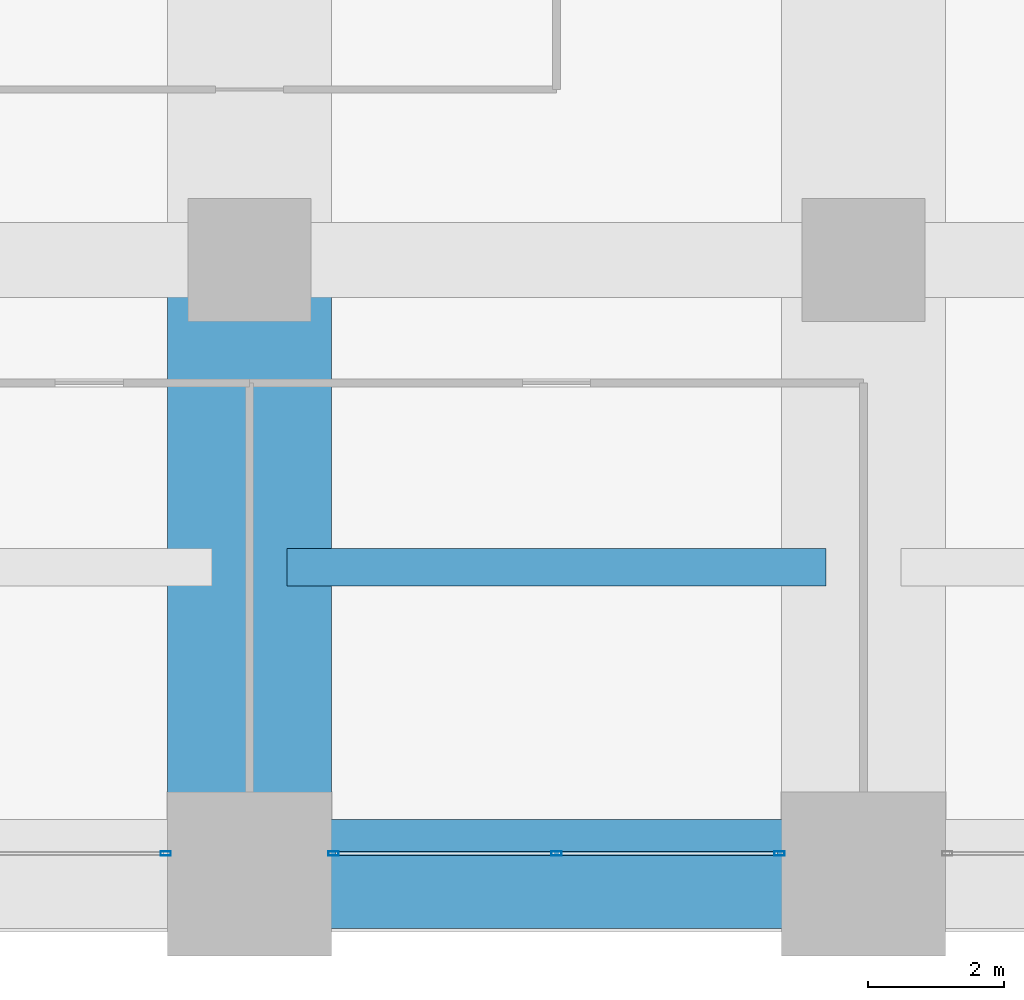
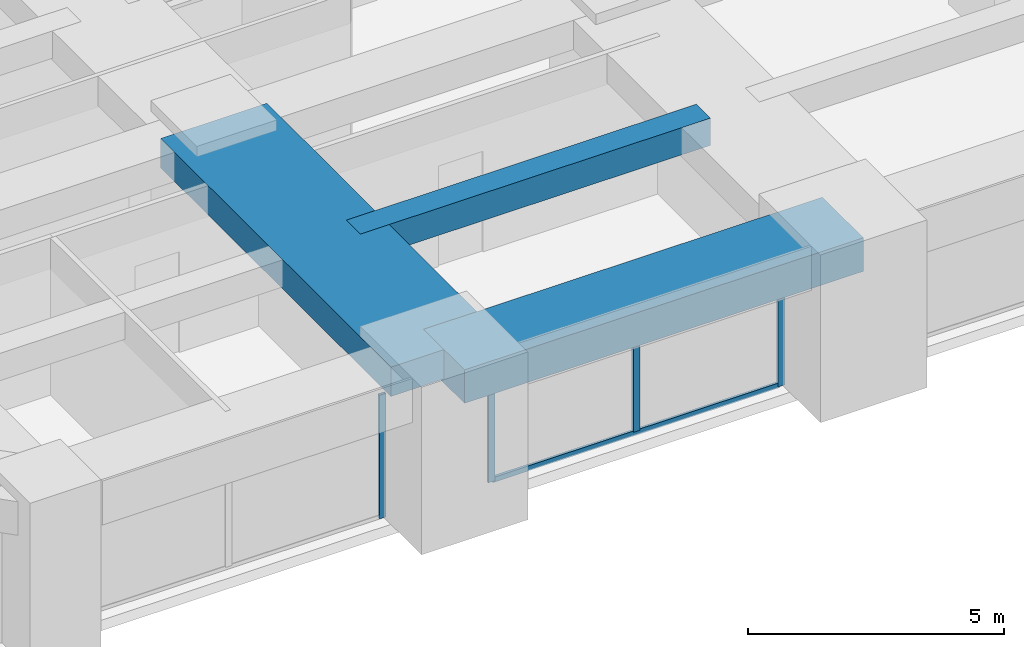
# One storey, part 6 of 43: 5 members, 3 beams, 2 elements without a shape of their own.
"""IFC4 building model written with IfcOpenShell, lengths in metres."""

from ifc_helpers import new_model, si_unit, direction, frame, origin, origin_2d, place, context, subcontext, project, spatial, rectangle, hollow_rectangle, extrude, material, material_profile, profile_set, type_object, element, aggregate, save


model = new_model("IFC4")

# Units and contexts
model_context = context("Model", 3, precision=1e-05, world=origin(), true_north=direction((0.0, 1.0)))
body_context = subcontext(model_context, "Body", "Model", "MODEL_VIEW")
ifc_project = project(units=[si_unit("LENGTHUNIT", "METRE"), si_unit("AREAUNIT", "SQUARE_METRE"), si_unit("VOLUMEUNIT", "CUBIC_METRE"), si_unit("PLANEANGLEUNIT", "RADIAN"), si_unit("MASSUNIT", "GRAM", prefix="KILO")], contexts=[model_context])

# Site, building, storey
site_placement = place(None, origin())
site = spatial("IfcSite", under=ifc_project, at=site_placement, CompositionType="ELEMENT")
building_placement = place(site_placement, origin())
building = spatial("IfcBuilding", under=site, at=building_placement, Name="Zorevar Civic Tower", CompositionType="ELEMENT")
storey_placement = place(building_placement, frame((0.0, 0.0, 145.0)))
storey = spatial("IfcBuildingStorey", under=building, at=storey_placement, Name="L35", CompositionType="ELEMENT", Elevation=145.0)

# Beams
ifc_material_1 = material(Name="Concrete C50/60", Category="concrete")
ifc_material_profile_1 = material_profile(ifc_material_1, rectangle(XDim=2.39990234375, YDim=0.699951171875, at=origin_2d()), Name="RC 2400x700")
ifc_profile_set_1 = profile_set([ifc_material_profile_1], Name="Concrete C50/60")
beam_type_1 = type_object("IfcBeamType", Name="Beam RC 2400x700", PredefinedType="BEAM", material=ifc_profile_set_1)
beam_1_placement = place(storey_placement, frame((18.0, 0.0, 3.39990234375), z_axis=(0.0, 1.0, 0.0), x_axis=(-1.0, 0.0, 0.0)))
element("IfcBeam", 1, at=beam_1_placement, inside=storey, type_object=beam_type_1, Name="Girder L36", PredefinedType="BEAM", context=body_context, shape_type="SweptSolid", body=[
    extrude(rectangle(XDim=2.39990234375, YDim=0.699951171875, at=origin_2d()), origin(), (0.0, 0.0, 1.0), 9.0),
])
ifc_material_2 = material(Name="Concrete C50/60", Category="concrete")
ifc_material_profile_2 = material_profile(ifc_material_2, rectangle(XDim=0.550048828125, YDim=0.64990234375, at=origin_2d()), Name="RC 550x650")
ifc_profile_set_2 = profile_set([ifc_material_profile_2], Name="Concrete C50/60")
beam_type_2 = type_object("IfcBeamType", Name="Beam RC 550x650", PredefinedType="BEAM", material=ifc_profile_set_2)
beam_2_placement = place(storey_placement, frame((18.550048828125, 4.5, 3.425048828125), z_axis=(1.0, 0.0, 0.0), x_axis=(0.0, 1.0, 0.0)))
element("IfcBeam", 2, at=beam_2_placement, inside=storey, type_object=beam_type_2, Name="Secondary beam L36", PredefinedType="BEAM", context=body_context, shape_type="SweptSolid", body=[
    extrude(rectangle(XDim=0.550048828125, YDim=0.64990234375, at=origin_2d()), origin(), (0.0, 0.0, 1.0), 7.89990234375),
])

# Curtain wall, member
ifc_material_3 = material(Name="Dark grey solar-control glass in black aluminium frame", Category="aluminium")
curtain_wall_type = type_object("IfcCurtainWallType", Name="Curtain wall CW3 mid zone", PredefinedType="NOTDEFINED", material=ifc_material_3)
curtain_wall_1_placement = place(storey_placement, origin())
curtain_wall_1 = element("IfcCurtainWall", 3, at=curtain_wall_1_placement, inside=storey, type_object=curtain_wall_type, Name="CW3 L35", PredefinedType="NOTDEFINED")
ifc_material_4 = material(Name="Aluminium, black anodised", Category="aluminium")
ifc_material_profile_3 = material_profile(ifc_material_4, hollow_rectangle(XDim=0.06005859375, YDim=0.14990234375, WallThickness=0.00390625, at=origin_2d()), Name="AL 150x60x4")
ifc_profile_set_3 = profile_set([ifc_material_profile_3], Name="Aluminium, black anodised")
member_type_1 = type_object("IfcMemberType", Name="CW3 mullion AL 150x60x4", PredefinedType="MULLION", material=ifc_profile_set_3)
member_1_placement = place(storey_placement, frame((16.77001953125, 0.300048828125, 0.0), z_axis=(0.0, 0.0, 1.0), x_axis=(0.0, 1.0, 0.0)))
member_1 = element("IfcMember", 4, at=member_1_placement, type_object=member_type_1, Name="CW3 mullion 3", PredefinedType="MULLION", context=body_context, shape_type="SweptSolid", body=[
    extrude(hollow_rectangle(XDim=0.06005859375, YDim=0.14990234375, WallThickness=0.00390625, at=origin_2d()), origin(), (0.0, 0.0, 1.0), 2.949951171875),
])
aggregate(curtain_wall_1, [member_1])

# Curtain wall, members
curtain_wall_2_placement = place(storey_placement, origin())
curtain_wall_2 = element("IfcCurtainWall", 5, at=curtain_wall_2_placement, inside=storey, type_object=curtain_wall_type, Name="CW3 L35", PredefinedType="NOTDEFINED")
member_2_placement = place(storey_placement, frame((19.22998046875, 0.300048828125, 0.0), z_axis=(0.0, 0.0, 1.0), x_axis=(0.0, 1.0, 0.0)))
member_2 = element("IfcMember", 6, at=member_2_placement, type_object=member_type_1, Name="CW3 mullion 1", PredefinedType="MULLION", context=body_context, shape_type="SweptSolid", body=[
    extrude(hollow_rectangle(XDim=0.06005859375, YDim=0.14990234375, WallThickness=0.00390625, at=origin_2d()), origin(), (0.0, 0.0, 1.0), 2.949951171875),
])
member_3_placement = place(storey_placement, frame((22.5, 0.300048828125, 0.06005859375), z_axis=(0.0, 0.0, 1.0), x_axis=(0.0, 1.0, 0.0)))
member_3 = element("IfcMember", 7, at=member_3_placement, type_object=member_type_1, Name="CW3 mullion 2", PredefinedType="MULLION", context=body_context, shape_type="SweptSolid", body=[
    extrude(hollow_rectangle(XDim=0.06005859375, YDim=0.14990234375, WallThickness=0.00390625, at=origin_2d()), origin(), (0.0, 0.0, 1.0), 2.889892578125),
])
member_4_placement = place(storey_placement, frame((25.77001953125, 0.300048828125, 0.0), z_axis=(0.0, 0.0, 1.0), x_axis=(0.0, 1.0, 0.0)))
member_4 = element("IfcMember", 8, at=member_4_placement, type_object=member_type_1, Name="CW3 mullion 3", PredefinedType="MULLION", context=body_context, shape_type="SweptSolid", body=[
    extrude(hollow_rectangle(XDim=0.06005859375, YDim=0.14990234375, WallThickness=0.00390625, at=origin_2d()), origin(), (0.0, 0.0, 1.0), 2.949951171875),
])
ifc_material_5 = material(Name="Aluminium, black anodised", Category="aluminium")
ifc_material_profile_4 = material_profile(ifc_material_5, hollow_rectangle(XDim=0.06005859375, YDim=0.1201171875, WallThickness=0.0029296875, at=origin_2d()), Name="AL 120x60x3")
ifc_profile_set_4 = profile_set([ifc_material_profile_4], Name="Aluminium, black anodised")
member_type_2 = type_object("IfcMemberType", Name="CW3 transom AL 120x60x3", PredefinedType="USERDEFINED", material=ifc_profile_set_4)
member_5_placement = place(storey_placement, frame((19.260009765625, 0.300048828125, 0.030029296875), z_axis=(1.0, 0.0, 0.0), x_axis=(0.0, 1.0, 0.0)))
member_5 = element("IfcMember", 9, at=member_5_placement, type_object=member_type_2, Name="CW3 sill transom", ObjectType="TRANSOM", PredefinedType="USERDEFINED", context=body_context, shape_type="SweptSolid", body=[
    extrude(hollow_rectangle(XDim=0.06005859375, YDim=0.1201171875, WallThickness=0.0029296875, at=origin_2d()), origin(), (0.0, 0.0, 1.0), 6.47998046875),
])
aggregate(curtain_wall_2, [member_2, member_3, member_4, member_5])

# Beam
ifc_material_6 = material(Name="Concrete C50/60", Category="concrete")
ifc_material_profile_5 = material_profile(ifc_material_6, rectangle(XDim=1.60009765625, YDim=0.800048828125, at=origin_2d()), Name="RC 1600x800")
ifc_profile_set_5 = profile_set([ifc_material_profile_5], Name="Concrete C50/60")
beam_type_3 = type_object("IfcBeamType", Name="Edge beam RC 1600x800", PredefinedType="SPANDREL", material=ifc_profile_set_5)
beam_3_placement = place(storey_placement, frame((18.0, 0.0, 3.35009765625), z_axis=(1.0, 0.0, 0.0), x_axis=(0.0, 1.0, 0.0)))
element("IfcBeam", 10, at=beam_3_placement, inside=storey, type_object=beam_type_3, Name="Edge beam L36", PredefinedType="SPANDREL", context=body_context, shape_type="SweptSolid", body=[
    extrude(rectangle(XDim=1.60009765625, YDim=0.800048828125, at=origin_2d()), origin(), (0.0, 0.0, 1.0), 9.0),
])

save(model, "model.ifc")
